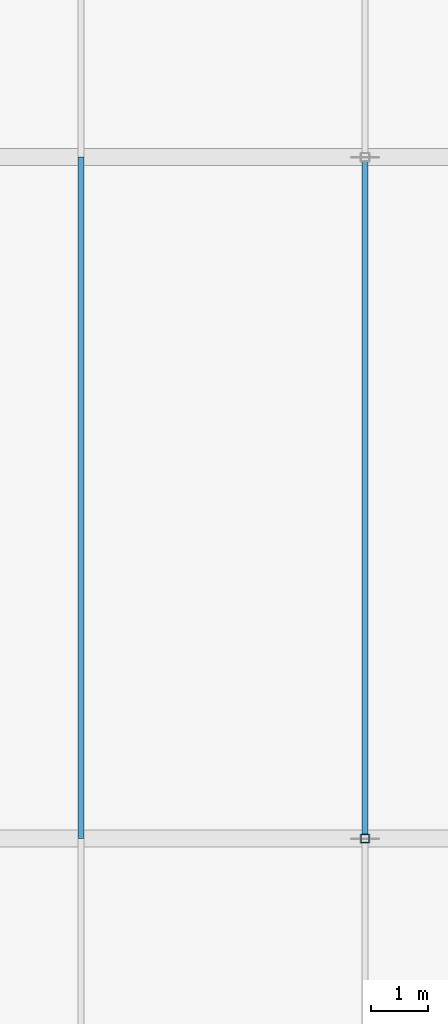
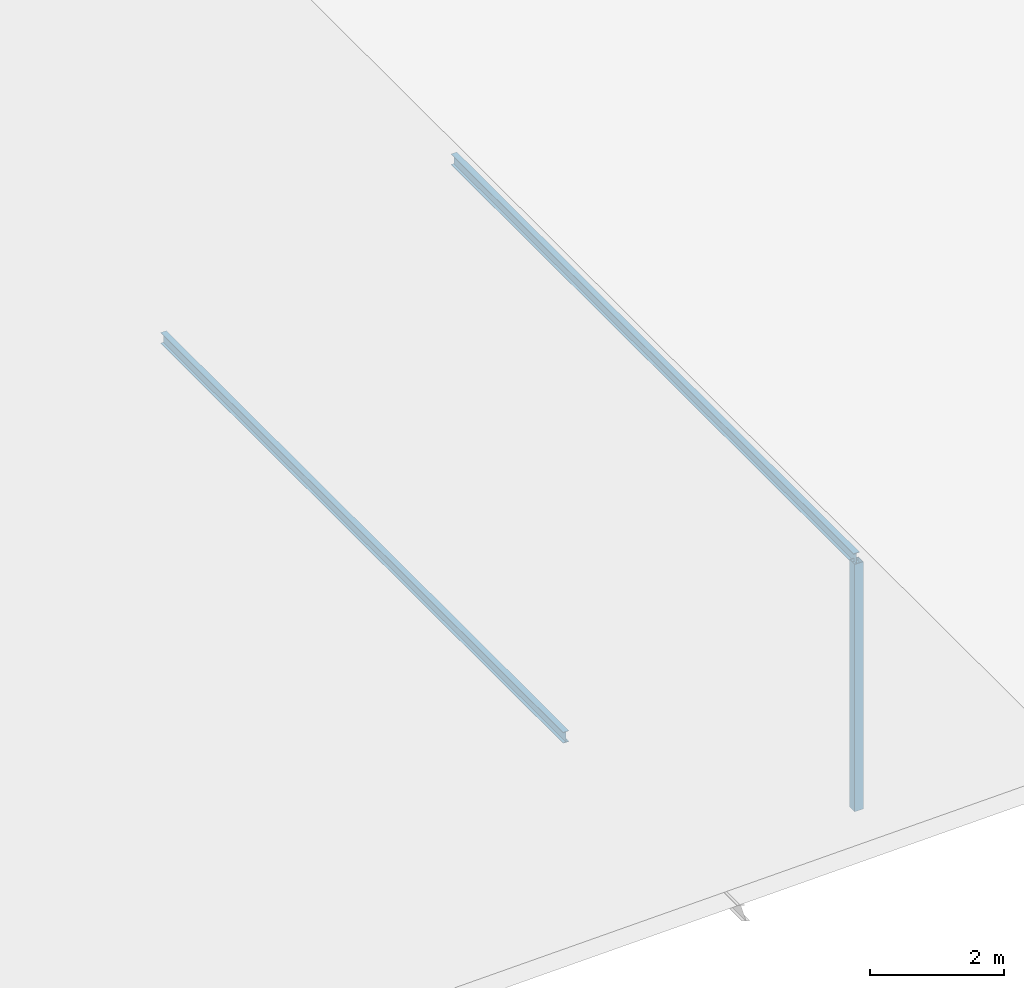
# One storey, part 18 of 204: 3 members.
"""IFC4 building model written with IfcOpenShell, lengths in metres."""

from ifc_helpers import new_model, si_unit, direction, frame, origin, origin_2d, place, context, subcontext, project, spatial, hollow_rectangle, i_section, extrude, material, material_profile, profile_set, type_object, element, save


model = new_model("IFC4")

# Units and contexts
model_context = context("Model", 3, precision=1e-05, world=origin(), true_north=direction((0.0, 1.0)))
body_context = subcontext(model_context, "Body", "Model", "MODEL_VIEW")
ifc_project = project(units=[si_unit("LENGTHUNIT", "METRE"), si_unit("AREAUNIT", "SQUARE_METRE"), si_unit("VOLUMEUNIT", "CUBIC_METRE"), si_unit("PLANEANGLEUNIT", "RADIAN"), si_unit("MASSUNIT", "GRAM", prefix="KILO")], contexts=[model_context])

# Site, building, storey
site_placement = place(None, origin())
site = spatial("IfcSite", under=ifc_project, at=site_placement, CompositionType="ELEMENT")
building_placement = place(site_placement, origin())
building = spatial("IfcBuilding", under=site, at=building_placement, Name="Zilviju Railside Exhibition Hall", CompositionType="ELEMENT")
storey_placement = place(building_placement, frame((0.0, 0.0, 21.0)))
storey = spatial("IfcBuildingStorey", under=building, at=storey_placement, Name="RF", CompositionType="ELEMENT", Elevation=21.0)

# Members
ifc_material = material(Name="Steel S355J2", Category="steel")
ifc_material_profile_1 = material_profile(ifc_material, hollow_rectangle(XDim=0.14990234375, YDim=0.14990234375, WallThickness=0.008056640625, at=origin_2d()), Name="SHS 150x150x8.0")
ifc_profile_set_1 = profile_set([ifc_material_profile_1], Name="Steel S355J2")
member_type_1 = type_object("IfcMemberType", Name="TR-POST-SHS150", PredefinedType="POST", material=ifc_profile_set_1)
member_placement = place(storey_placement, frame((63.0, 54.0, -8.39990234375), z_axis=(0.0, 0.0, 1.0), x_axis=(1.0, 0.0, 0.0)))
element("IfcMember", 1, at=member_placement, inside=storey, type_object=member_type_1, Name="Concourse Saddle King Post Y=54.0", PredefinedType="POST", context=body_context, shape_type="SweptSolid", body=[
    extrude(hollow_rectangle(XDim=0.14990234375, YDim=0.14990234375, WallThickness=0.008056640625, at=origin_2d()), origin(), (0.0, 0.0, 1.0), 4.5),
])
ifc_material_profile_2 = material_profile(ifc_material, i_section(OverallWidth=0.10009765625, OverallDepth=0.199951171875, WebThickness=0.005615234375, FlangeThickness=0.008544921875, at=origin_2d()), Name="IPE 200")
ifc_profile_set_2 = profile_set([ifc_material_profile_2], Name="Steel S355J2")
member_type_2 = type_object("IfcMemberType", Name="TR-PUR-IPE200", PredefinedType="PURLIN", material=ifc_profile_set_2)
for number, where, z_axis, x_axis, name in (
    (2, (58.0, 54.0, -5.360107421875), (0.0, 1.0, 0.0), (-1.0, 0.0, 0.0), "Concourse Lantern Purlin X=58.0"),
    (3, (63.0, 54.0, -3.860107421875), (0.0, 1.0, 0.0), (-1.0, 0.0, 0.0), "Concourse Lantern Purlin X=63.0"),
):
    element("IfcMember", number, at=place(storey_placement, frame(where, z_axis=z_axis, x_axis=x_axis)), inside=storey, type_object=member_type_2, Name=name, PredefinedType="PURLIN", context=body_context, shape_type="SweptSolid", body=[
        extrude(i_section(OverallWidth=0.10009765625, OverallDepth=0.199951171875, WebThickness=0.005615234375, FlangeThickness=0.008544921875, at=origin_2d()), origin(), (0.0, 0.0, 1.0), 12.0),
    ])

save(model, "model.ifc")
